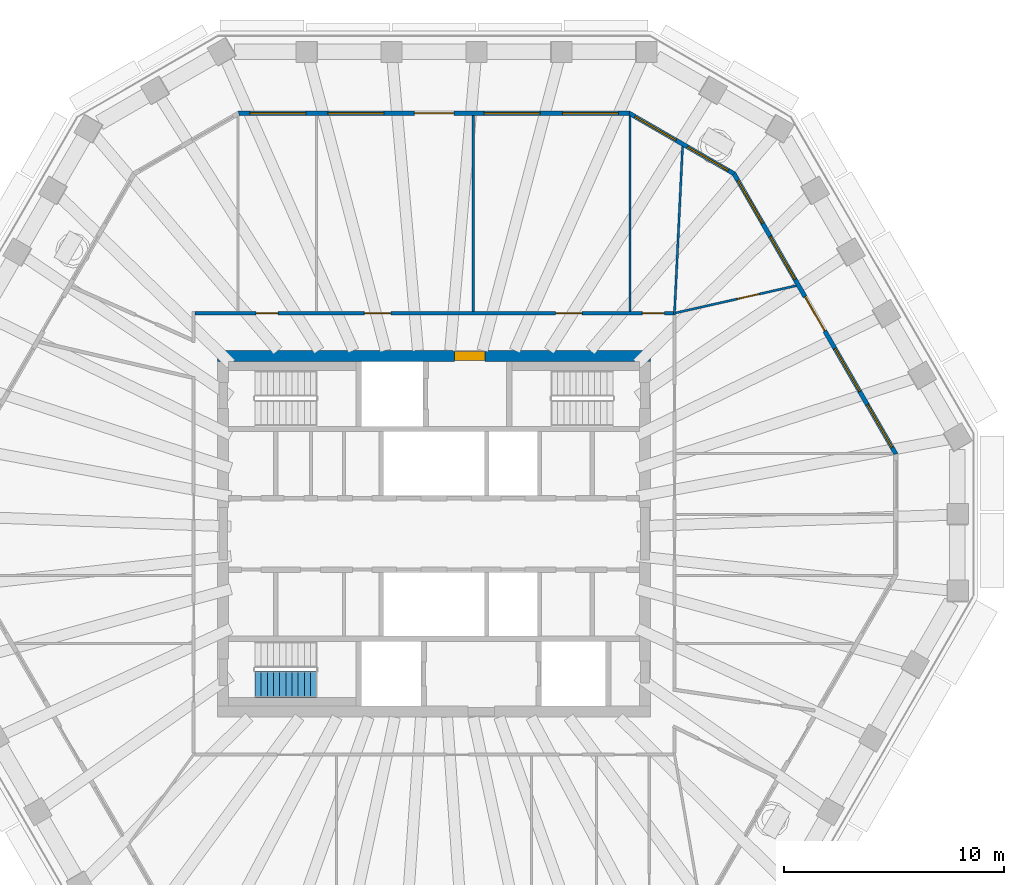
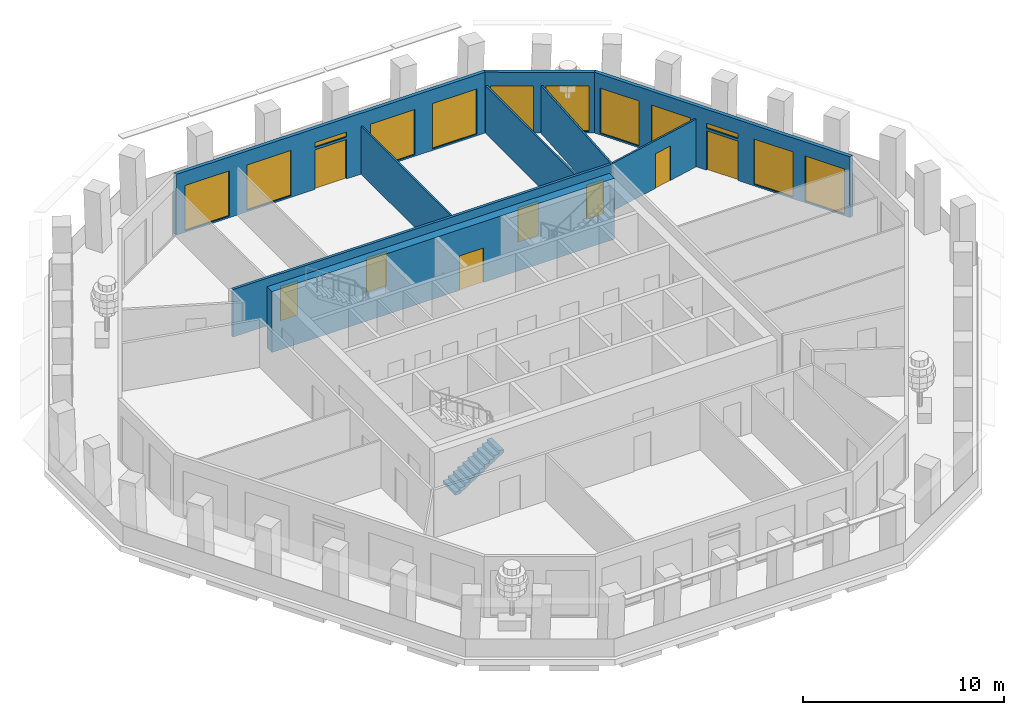
# One storey, part 7 of 12: 12 windows, 9 walls, 8 doors, 1 stair flight, 20 openings, 1 element without a shape of its own.
"""IFC4 building model written with IfcOpenShell, lengths in metres."""

from ifc_helpers import new_model, si_unit, direction, frame, frame_2d, origin, place, context, subcontext, project, spatial, polyline, rectangle, outline, extrude, material, layer, layer_set, type_object, element, fill, aggregate, save


model = new_model("IFC4")

# Units and contexts
model_context = context("Model", 3, precision=1e-05, world=origin(), true_north=direction((0.0, 1.0)))
body_context = subcontext(model_context, "Body", "Model", "MODEL_VIEW")
ifc_project = project(units=[si_unit("LENGTHUNIT", "METRE"), si_unit("AREAUNIT", "SQUARE_METRE"), si_unit("VOLUMEUNIT", "CUBIC_METRE"), si_unit("PLANEANGLEUNIT", "RADIAN"), si_unit("MASSUNIT", "GRAM", prefix="KILO")], contexts=[model_context])

# Site, building, storey
site_placement = place(None, origin())
site = spatial("IfcSite", under=ifc_project, at=site_placement, CompositionType="ELEMENT")
building_placement = place(site_placement, origin())
building = spatial("IfcBuilding", under=site, at=building_placement, Name="Frailejon Research Tower", CompositionType="ELEMENT")
storey_placement = place(building_placement, frame((0.0, 0.0, 291.0)))
storey = spatial("IfcBuildingStorey", under=building, at=storey_placement, Name="L64", CompositionType="ELEMENT", Elevation=291.0)

# Wall, opening, door
ifc_material_1 = material(Name="Concrete C50/60", Category="concrete")
ifc_layer_1 = layer(ifc_material_1, 0.5)
ifc_layer_set_1 = layer_set([ifc_layer_1], Name="Core shear wall 500 C50/60")
wall_type_1 = type_object("IfcWallType", Name="Core shear wall 500 C50/60", PredefinedType="SHEAR", material=ifc_layer_set_1)
wall_1_placement = place(storey_placement, frame((-9.85009765625, 8.10009765625, 0.0), z_axis=(0.0, 0.0, 1.0), x_axis=(1.0, 0.0, 0.0)))
wall_1 = element("IfcWall", 1, at=wall_1_placement, inside=storey, type_object=wall_type_1, Name="Core shear wall", PredefinedType="SHEAR", context=body_context, shape_type="SweptSolid", body=[
    extrude(rectangle(XDim=19.7001953125, YDim=0.5, at=frame_2d((9.85009765625, 0.0))), origin(), (0.0, 0.0, 1.0), 3.699951171875),
])
opening_1_placement = place(wall_1_placement, frame((10.77490234375, 0.0, 0.0)))
opening_1 = element("IfcOpeningElement", 2, at=opening_1_placement, cuts=wall_1, Name="Opening D9", PredefinedType="OPENING", context=body_context, shape_type="SweptSolid", body=[
    extrude(rectangle(XDim=1.39990234375, YDim=2.10009765625, at=frame_2d((0.699951171875, 1.050048828125))), frame((0.0, 0.260009765625, 0.0), z_axis=(0.0, -1.0, 0.0), x_axis=(1.0, 0.0, 0.0)), (0.0, 0.0, 1.0), 0.52001953125),
])
ifc_material_2 = material(Name="Steel", Category="steel")
door_type_1 = type_object("IfcDoorType", Name="Goods lobby door", OperationType="DOUBLE_DOOR_SINGLE_SWING", PredefinedType="DOOR", material=ifc_material_2)
door_1_placement = place(opening_1_placement, origin())
door_1 = element("IfcDoor", 3, at=door_1_placement, inside=storey, type_object=door_type_1, Name="Goods lobby door", OperationType="DOUBLE_DOOR_SINGLE_SWING", OverallHeight=2.10009765625, OverallWidth=1.39990234375, PredefinedType="DOOR", context=body_context, shape_type="SweptSolid", body=[
    extrude(rectangle(XDim=1.39990234375, YDim=2.10009765625, at=frame_2d((0.699951171875, 1.050048828125))), frame((0.0, 0.199951171875, 0.0), z_axis=(0.0, -1.0, 0.0), x_axis=(1.0, 0.0, 0.0)), (0.0, 0.0, 1.0), 0.39990234375),
])
fill(opening_1, door_1)

# Wall, openings, doors
ifc_material_3 = material(Name="Gypsum board and masonry partition", Category="masonry")
ifc_layer_2 = layer(ifc_material_3, 0.14990234375)
ifc_layer_set_2 = layer_set([ifc_layer_2], Name="Corridor wall EI 60, gypsum on steel studs 150")
wall_type_2 = type_object("IfcWallType", Name="Corridor wall EI 60, gypsum on steel studs 150", PredefinedType="PARTITIONING", material=ifc_layer_set_2)
wall_2_placement = place(storey_placement, frame((-10.875, 10.050048828125, 0.0), z_axis=(0.0, 0.0, 1.0), x_axis=(1.0, 0.0, 0.0)))
wall_2 = element("IfcWall", 4, at=wall_2_placement, inside=storey, type_object=wall_type_2, Name="T:IW:L64:005", PredefinedType="PARTITIONING", context=body_context, shape_type="SweptSolid", body=[
    extrude(rectangle(XDim=21.77490234375, YDim=0.14990234375, at=frame_2d((10.887451171875, 0.0))), origin(), (0.0, 0.0, 1.0), 2.89990234375),
])
opening_2_placement = place(wall_2_placement, frame((20.360107421875, 0.0, 0.0)))
opening_2 = element("IfcOpeningElement", 5, at=opening_2_placement, cuts=wall_2, Name="Opening D2228", PredefinedType="OPENING", context=body_context, shape_type="SweptSolid", body=[
    extrude(rectangle(XDim=1.0, YDim=2.10009765625, at=frame_2d((0.5, 1.050048828125))), frame((0.0, 0.0849609375, 0.0), z_axis=(0.0, -1.0, 0.0), x_axis=(1.0, 0.0, 0.0)), (0.0, 0.0, 1.0), 0.169921875),
])
opening_3_placement = place(wall_2_placement, frame((16.41357421875, 0.0, 0.0)))
opening_3 = element("IfcOpeningElement", 6, at=opening_3_placement, cuts=wall_2, Name="Opening D2229", PredefinedType="OPENING", context=body_context, shape_type="SweptSolid", body=[
    extrude(rectangle(XDim=1.199951171875, YDim=2.10009765625, at=frame_2d((0.60009765625, 1.050048828125))), frame((0.0, 0.0849609375, 0.0), z_axis=(0.0, -1.0, 0.0), x_axis=(1.0, 0.0, 0.0)), (0.0, 0.0, 1.0), 0.169921875),
])
opening_4_placement = place(wall_2_placement, frame((7.705078125, 0.0, 0.0)))
opening_4 = element("IfcOpeningElement", 7, at=opening_4_placement, cuts=wall_2, Name="Opening D2230", PredefinedType="OPENING", context=body_context, shape_type="SweptSolid", body=[
    extrude(rectangle(XDim=1.199951171875, YDim=2.10009765625, at=frame_2d((0.60009765625, 1.050048828125))), frame((0.0, 0.0849609375, 0.0), z_axis=(0.0, -1.0, 0.0), x_axis=(1.0, 0.0, 0.0)), (0.0, 0.0, 1.0), 0.169921875),
])
opening_5_placement = place(wall_2_placement, frame((2.7705078125, 0.0, 0.0)))
opening_5 = element("IfcOpeningElement", 8, at=opening_5_placement, cuts=wall_2, Name="Opening D2231", PredefinedType="OPENING", context=body_context, shape_type="SweptSolid", body=[
    extrude(rectangle(XDim=1.0, YDim=2.10009765625, at=frame_2d((0.5, 1.050048828125))), frame((0.0, 0.0849609375, 0.0), z_axis=(0.0, -1.0, 0.0), x_axis=(1.0, 0.0, 0.0)), (0.0, 0.0, 1.0), 0.169921875),
])
ifc_material_4 = material(Name="Timber door leaf", Category="wood")
door_type_2 = type_object("IfcDoorType", Name="Door single leaf, timber, steel frame 1000", OperationType="NOTDEFINED", PredefinedType="DOOR", material=ifc_material_4)
door_2_placement = place(opening_2_placement, origin())
door_2 = element("IfcDoor", 9, at=door_2_placement, inside=storey, type_object=door_type_2, Name="D2228", OperationType="SINGLE_SWING_RIGHT", OverallHeight=2.10009765625, OverallWidth=1.0, PredefinedType="DOOR", context=body_context, shape_type="SweptSolid", body=[
    extrude(rectangle(XDim=1.0, YDim=2.10009765625, at=frame_2d((0.5, 1.050048828125))), frame((0.0, 0.02490234375, 0.0), z_axis=(0.0, -1.0, 0.0), x_axis=(1.0, 0.0, 0.0)), (0.0, 0.0, 1.0), 0.050048828125),
])
fill(opening_2, door_2)
door_3_placement = place(opening_5_placement, origin())
door_3 = element("IfcDoor", 10, at=door_3_placement, inside=storey, type_object=door_type_2, Name="D2231", OperationType="SINGLE_SWING_RIGHT", OverallHeight=2.10009765625, OverallWidth=1.0, PredefinedType="DOOR", context=body_context, shape_type="SweptSolid", body=[
    extrude(rectangle(XDim=1.0, YDim=2.10009765625, at=frame_2d((0.5, 1.050048828125))), frame((0.0, 0.02490234375, 0.0), z_axis=(0.0, -1.0, 0.0), x_axis=(1.0, 0.0, 0.0)), (0.0, 0.0, 1.0), 0.050048828125),
])
fill(opening_5, door_3)
ifc_material_5 = material(Name="Timber door leaf", Category="wood")
door_type_3 = type_object("IfcDoorType", Name="Door single leaf, timber, steel frame 1200", OperationType="NOTDEFINED", PredefinedType="DOOR", material=ifc_material_5)
door_4_placement = place(opening_3_placement, origin())
door_4 = element("IfcDoor", 11, at=door_4_placement, inside=storey, type_object=door_type_3, Name="D2229", OperationType="DOUBLE_DOOR_SINGLE_SWING", OverallHeight=2.10009765625, OverallWidth=1.199951171875, PredefinedType="DOOR", context=body_context, shape_type="SweptSolid", body=[
    extrude(rectangle(XDim=1.199951171875, YDim=2.10009765625, at=frame_2d((0.60009765625, 1.050048828125))), frame((0.0, 0.02490234375, 0.0), z_axis=(0.0, -1.0, 0.0), x_axis=(1.0, 0.0, 0.0)), (0.0, 0.0, 1.0), 0.050048828125),
])
fill(opening_3, door_4)
door_5_placement = place(opening_4_placement, origin())
door_5 = element("IfcDoor", 12, at=door_5_placement, inside=storey, type_object=door_type_3, Name="D2230", OperationType="DOUBLE_DOOR_SINGLE_SWING", OverallHeight=2.10009765625, OverallWidth=1.199951171875, PredefinedType="DOOR", context=body_context, shape_type="SweptSolid", body=[
    extrude(rectangle(XDim=1.199951171875, YDim=2.10009765625, at=frame_2d((0.60009765625, 1.050048828125))), frame((0.0, 0.02490234375, 0.0), z_axis=(0.0, -1.0, 0.0), x_axis=(1.0, 0.0, 0.0)), (0.0, 0.0, 1.0), 0.050048828125),
])
fill(opening_4, door_5)

# Wall, opening, door
ifc_material_6 = material(Name="Gypsum board and masonry partition", Category="masonry")
ifc_layer_3 = layer(ifc_material_6, 0.10009765625)
ifc_layer_set_3 = layer_set([ifc_layer_3], Name="Partition, gypsum on steel studs 100")
wall_type_3 = type_object("IfcWallType", Name="Partition, gypsum on steel studs 100", PredefinedType="PARTITIONING", material=ifc_layer_set_3)
wall_3_placement = place(storey_placement, frame((10.998779296875, 10.06103515625, 0.0), z_axis=(0.0, 0.0, 1.0), x_axis=(0.975459036703, 0.220180988541, 0.0)))
wall_3 = element("IfcWall", 13, at=wall_3_placement, inside=storey, type_object=wall_type_3, Name="T:IW:L64:013", PredefinedType="PARTITIONING", context=body_context, shape_type="SweptSolid", body=[
    extrude(rectangle(XDim=5.62841796875, YDim=0.10009765625, at=frame_2d((2.814208984375, 0.0))), origin(), (0.0, 0.0, 1.0), 2.89990234375),
])
opening_6_placement = place(wall_3_placement, frame((2.885986328125, 0.0, 0.0)))
opening_6 = element("IfcOpeningElement", 14, at=opening_6_placement, cuts=wall_3, Name="Opening D2227", PredefinedType="OPENING", context=body_context, shape_type="SweptSolid", body=[
    extrude(rectangle(XDim=1.0, YDim=2.10009765625, at=frame_2d((0.5, 1.050048828125))), frame((0.0, 0.06005859375, 0.0), z_axis=(0.0, -1.0, 0.0), x_axis=(1.0, 0.0, 0.0)), (0.0, 0.0, 1.0), 0.1201171875),
])
door_6_placement = place(opening_6_placement, origin())
door_6 = element("IfcDoor", 15, at=door_6_placement, inside=storey, type_object=door_type_2, Name="D2227", OperationType="SINGLE_SWING_LEFT", OverallHeight=2.10009765625, OverallWidth=1.0, PredefinedType="DOOR", context=body_context, shape_type="SweptSolid", body=[
    extrude(rectangle(XDim=1.0, YDim=2.10009765625, at=frame_2d((0.5, 1.050048828125))), frame((0.0, 0.02490234375, 0.0), z_axis=(0.0, -1.0, 0.0), x_axis=(1.0, 0.0, 0.0)), (0.0, 0.0, 1.0), 0.050048828125),
])
fill(opening_6, door_6)

# Walls
wall_4_placement = place(storey_placement, frame((10.9462890625, 9.97509765625, 0.0), z_axis=(0.0, 0.0, 1.0), x_axis=(0.048351551891, 0.998830379709, 0.0)))
element("IfcWall", 16, at=wall_4_placement, inside=storey, type_object=wall_type_3, Name="T:IW:L64:014", PredefinedType="PARTITIONING", context=body_context, shape_type="SweptSolid", body=[
    extrude(rectangle(XDim=7.669921875, YDim=0.10009765625, at=frame_2d((3.8349609375, 0.0))), origin(), (0.0, 0.0, 1.0), 2.89990234375),
])
wall_5_placement = place(storey_placement, frame((8.921630859375, 10.125, 0.0), z_axis=(0.0, 0.0, 1.0), x_axis=(0.0, 1.0, 0.0)))
element("IfcWall", 17, at=wall_5_placement, inside=storey, type_object=wall_type_3, Name="T:IW:L64:015", PredefinedType="PARTITIONING", context=body_context, shape_type="SweptSolid", body=[
    extrude(rectangle(XDim=8.89404296875, YDim=0.10009765625, at=frame_2d((4.447021484375, 0.0))), origin(), (0.0, 0.0, 1.0), 2.89990234375),
])
wall_6_placement = place(storey_placement, frame((1.7841796875, 10.125, 0.0), z_axis=(0.0, 0.0, 1.0), x_axis=(0.0, 1.0, 0.0)))
element("IfcWall", 18, at=wall_6_placement, inside=storey, type_object=wall_type_3, Name="T:IW:L64:016", PredefinedType="PARTITIONING", context=body_context, shape_type="SweptSolid", body=[
    extrude(rectangle(XDim=8.925048828125, YDim=0.10009765625, at=frame_2d((4.46240234375, 0.0))), origin(), (0.0, 0.0, 1.0), 2.89990234375),
])

# Wall, openings, door, windows
ifc_material_7 = material(Name="Concrete C40/50 precast window wall panel", Category="concrete")
ifc_layer_4 = layer(ifc_material_7, 0.199951171875)
ifc_layer_set_4 = layer_set([ifc_layer_4], Name="Window wall 200")
wall_type_4 = type_object("IfcWallType", Name="Window wall 200", PredefinedType="SOLIDWALL", material=ifc_layer_set_4)
wall_7_placement = place(storey_placement, frame((21.03173828125, 3.631591796875, 0.0), z_axis=(0.0, 0.0, 1.0), x_axis=(-0.50000248076, 0.866023971512, 0.0)))
wall_7 = element("IfcWall", 19, at=wall_7_placement, inside=storey, type_object=wall_type_4, Name="Exterior wall L64", PredefinedType="SOLIDWALL", context=body_context, shape_type="SweptSolid", body=[
    extrude(outline(polyline([(-0.02685546875, -0.10009765625), (1.030029296875, -0.10009765625), (2.086669921875, -0.10009765625), (3.1435546875, -0.10009765625), (4.200439453125, -0.10009765625), (5.25732421875, -0.10009765625), (6.31396484375, -0.10009765625), (7.370849609375, -0.10009765625), (8.427734375, -0.10009765625), (9.484375, -0.10009765625), (10.541259765625, -0.10009765625), (11.59814453125, -0.10009765625), (12.655029296875, -0.10009765625), (13.711669921875, -0.10009765625), (14.7685546875, -0.10009765625), (14.71484375, 0.10009765625), (13.665771484375, 0.10009765625), (12.616455078125, 0.10009765625), (11.5673828125, 0.10009765625), (10.518310546875, 0.10009765625), (9.46923828125, 0.10009765625), (8.419921875, 0.10009765625), (7.370849609375, 0.10009765625), (6.32177734375, 0.10009765625), (5.2724609375, 0.10009765625), (4.223388671875, 0.10009765625), (3.17431640625, 0.10009765625), (2.125244140625, 0.10009765625), (1.075927734375, 0.10009765625), (0.02685546875, 0.10009765625), (-0.02685546875, -0.10009765625)])), origin(), (0.0, 0.0, 1.0), 3.699951171875),
])
opening_7_placement = place(wall_7_placement, frame((0.34912109375, 0.0, 0.10009765625)))
opening_7 = element("IfcOpeningElement", 20, at=opening_7_placement, cuts=wall_7, Name="Opening W23", PredefinedType="OPENING", context=body_context, shape_type="SweptSolid", body=[
    extrude(rectangle(XDim=2.25, YDim=2.75, at=frame_2d((1.125, 1.375))), frame((0.0, 0.10986328125, 0.0), z_axis=(0.0, -1.0, 0.0), x_axis=(1.0, 0.0, 0.0)), (0.0, 0.0, 1.0), 0.219970703125),
])
opening_8_placement = place(wall_7_placement, frame((3.297607421875, 0.0, 0.10009765625)))
opening_8 = element("IfcOpeningElement", 21, at=opening_8_placement, cuts=wall_7, Name="Opening W23", PredefinedType="OPENING", context=body_context, shape_type="SweptSolid", body=[
    extrude(rectangle(XDim=2.25, YDim=2.75, at=frame_2d((1.125, 1.375))), frame((0.0, 0.10986328125, 0.0), z_axis=(0.0, -1.0, 0.0), x_axis=(1.0, 0.0, 0.0)), (0.0, 0.0, 1.0), 0.219970703125),
])
opening_9_placement = place(wall_7_placement, frame((6.470703125, 0.0, 0.0)))
opening_9 = element("IfcOpeningElement", 22, at=opening_9_placement, cuts=wall_7, Name="Opening LG64-1", PredefinedType="OPENING", context=body_context, shape_type="SweptSolid", body=[
    extrude(rectangle(XDim=1.800048828125, YDim=2.39990234375, at=frame_2d((0.89990234375, 1.199951171875))), frame((0.0, 0.10986328125, 0.0), z_axis=(0.0, -1.0, 0.0), x_axis=(1.0, 0.0, 0.0)), (0.0, 0.0, 1.0), 0.219970703125),
])
opening_10_placement = place(wall_7_placement, frame((6.470703125, 0.0, 2.550048828125)))
opening_10 = element("IfcOpeningElement", 23, at=opening_10_placement, cuts=wall_7, Name="Opening W24", PredefinedType="OPENING", context=body_context, shape_type="SweptSolid", body=[
    extrude(rectangle(XDim=1.800048828125, YDim=0.300048828125, at=frame_2d((0.89990234375, 0.14990234375))), frame((0.0, 0.10986328125, 0.0), z_axis=(0.0, -1.0, 0.0), x_axis=(1.0, 0.0, 0.0)), (0.0, 0.0, 1.0), 0.219970703125),
])
opening_11_placement = place(wall_7_placement, frame((9.194091796875, 0.0, 0.10009765625)))
opening_11 = element("IfcOpeningElement", 24, at=opening_11_placement, cuts=wall_7, Name="Opening W23", PredefinedType="OPENING", context=body_context, shape_type="SweptSolid", body=[
    extrude(rectangle(XDim=2.25, YDim=2.75, at=frame_2d((1.125, 1.375))), frame((0.0, 0.10986328125, 0.0), z_axis=(0.0, -1.0, 0.0), x_axis=(1.0, 0.0, 0.0)), (0.0, 0.0, 1.0), 0.219970703125),
])
opening_12_placement = place(wall_7_placement, frame((12.142578125, 0.0, 0.10009765625)))
opening_12 = element("IfcOpeningElement", 25, at=opening_12_placement, cuts=wall_7, Name="Opening W23", PredefinedType="OPENING", context=body_context, shape_type="SweptSolid", body=[
    extrude(rectangle(XDim=2.25, YDim=2.75, at=frame_2d((1.125, 1.375))), frame((0.0, 0.10986328125, 0.0), z_axis=(0.0, -1.0, 0.0), x_axis=(1.0, 0.0, 0.0)), (0.0, 0.0, 1.0), 0.219970703125),
])
ifc_material_8 = material(Name="Aluminium framed glazed door leaf", Category="aluminium")
door_type_4 = type_object("IfcDoorType", Name="Loggia door 1800x2400", OperationType="DOUBLE_DOOR_SINGLE_SWING", PredefinedType="DOOR", material=ifc_material_8)
door_7_placement = place(opening_9_placement, origin())
door_7 = element("IfcDoor", 26, at=door_7_placement, inside=storey, type_object=door_type_4, Name="Door LG64-1", OperationType="DOUBLE_DOOR_SINGLE_SWING", OverallHeight=2.39990234375, OverallWidth=1.800048828125, PredefinedType="DOOR", context=body_context, shape_type="SweptSolid", body=[
    extrude(rectangle(XDim=1.800048828125, YDim=2.39990234375, at=frame_2d((0.89990234375, 1.199951171875))), frame((0.0, 0.02490234375, 0.0), z_axis=(0.0, -1.0, 0.0), x_axis=(1.0, 0.0, 0.0)), (0.0, 0.0, 1.0), 0.050048828125),
])
fill(opening_9, door_7)
ifc_material_9 = material(Name="Aluminium framed double glazing", Category="aluminium")
window_type_1 = type_object("IfcWindowType", Name="Window 1800x300", PartitioningType="SINGLE_PANEL", PredefinedType="WINDOW", material=ifc_material_9)
window_1_placement = place(opening_10_placement, origin())
window_1 = element("IfcWindow", 27, at=window_1_placement, inside=storey, type_object=window_type_1, Name="Window L64", OverallHeight=0.300048828125, OverallWidth=1.800048828125, PartitioningType="SINGLE_PANEL", PredefinedType="WINDOW", context=body_context, shape_type="SweptSolid", body=[
    extrude(rectangle(XDim=1.800048828125, YDim=0.300048828125, at=frame_2d((0.89990234375, 0.14990234375))), frame((0.0, 0.030029296875, 0.0), z_axis=(0.0, -1.0, 0.0), x_axis=(1.0, 0.0, 0.0)), (0.0, 0.0, 1.0), 0.06005859375),
])
fill(opening_10, window_1)
ifc_material_10 = material(Name="Aluminium framed double glazing", Category="aluminium")
window_type_2 = type_object("IfcWindowType", Name="Window 2250x2750", PartitioningType="SINGLE_PANEL", PredefinedType="WINDOW", material=ifc_material_10)
window_2_placement = place(opening_7_placement, origin())
window_2 = element("IfcWindow", 28, at=window_2_placement, inside=storey, type_object=window_type_2, Name="Window L64", OverallHeight=2.75, OverallWidth=2.25, PartitioningType="SINGLE_PANEL", PredefinedType="WINDOW", context=body_context, shape_type="SweptSolid", body=[
    extrude(rectangle(XDim=2.25, YDim=2.75, at=frame_2d((1.125, 1.375))), frame((0.0, 0.030029296875, 0.0), z_axis=(0.0, -1.0, 0.0), x_axis=(1.0, 0.0, 0.0)), (0.0, 0.0, 1.0), 0.06005859375),
])
fill(opening_7, window_2)
window_3_placement = place(opening_8_placement, origin())
window_3 = element("IfcWindow", 29, at=window_3_placement, inside=storey, type_object=window_type_2, Name="Window L64", OverallHeight=2.75, OverallWidth=2.25, PartitioningType="SINGLE_PANEL", PredefinedType="WINDOW", context=body_context, shape_type="SweptSolid", body=[
    extrude(rectangle(XDim=2.25, YDim=2.75, at=frame_2d((1.125, 1.375))), frame((0.0, 0.030029296875, 0.0), z_axis=(0.0, -1.0, 0.0), x_axis=(1.0, 0.0, 0.0)), (0.0, 0.0, 1.0), 0.06005859375),
])
fill(opening_8, window_3)
window_4_placement = place(opening_11_placement, origin())
window_4 = element("IfcWindow", 30, at=window_4_placement, inside=storey, type_object=window_type_2, Name="Window L64", OverallHeight=2.75, OverallWidth=2.25, PartitioningType="SINGLE_PANEL", PredefinedType="WINDOW", context=body_context, shape_type="SweptSolid", body=[
    extrude(rectangle(XDim=2.25, YDim=2.75, at=frame_2d((1.125, 1.375))), frame((0.0, 0.030029296875, 0.0), z_axis=(0.0, -1.0, 0.0), x_axis=(1.0, 0.0, 0.0)), (0.0, 0.0, 1.0), 0.06005859375),
])
fill(opening_11, window_4)
window_5_placement = place(opening_12_placement, origin())
window_5 = element("IfcWindow", 31, at=window_5_placement, inside=storey, type_object=window_type_2, Name="Window L64", OverallHeight=2.75, OverallWidth=2.25, PartitioningType="SINGLE_PANEL", PredefinedType="WINDOW", context=body_context, shape_type="SweptSolid", body=[
    extrude(rectangle(XDim=2.25, YDim=2.75, at=frame_2d((1.125, 1.375))), frame((0.0, 0.030029296875, 0.0), z_axis=(0.0, -1.0, 0.0), x_axis=(1.0, 0.0, 0.0)), (0.0, 0.0, 1.0), 0.06005859375),
])
fill(opening_12, window_5)

# Wall, openings, windows
wall_8_placement = place(storey_placement, frame((13.660888671875, 16.398193359375, 0.0), z_axis=(0.0, 0.0, 1.0), x_axis=(-0.866014926636, 0.500018146515, 0.0)))
wall_8 = element("IfcWall", 32, at=wall_8_placement, inside=storey, type_object=wall_type_4, Name="Exterior wall L64", PredefinedType="SOLIDWALL", context=body_context, shape_type="SweptSolid", body=[
    extrude(outline(polyline([(-0.02685546875, -0.10009765625), (1.08447265625, -0.10009765625), (2.19580078125, -0.10009765625), (3.307373046875, -0.10009765625), (4.418701171875, -0.10009765625), (5.530029296875, -0.10009765625), (5.476318359375, 0.10009765625), (4.386474609375, 0.10009765625), (3.296630859375, 0.10009765625), (2.20654296875, 0.10009765625), (1.11669921875, 0.10009765625), (0.02685546875, 0.10009765625), (-0.02685546875, -0.10009765625)])), origin(), (0.0, 0.0, 1.0), 3.699951171875),
])
opening_13_placement = place(wall_8_placement, frame((0.30078125, 0.0, 0.10009765625)))
opening_13 = element("IfcOpeningElement", 33, at=opening_13_placement, cuts=wall_8, Name="Opening W22", PredefinedType="OPENING", context=body_context, shape_type="SweptSolid", body=[
    extrude(rectangle(XDim=2.14990234375, YDim=2.75, at=frame_2d((1.074951171875, 1.375))), frame((0.0, 0.10986328125, 0.0), z_axis=(0.0, -1.0, 0.0), x_axis=(1.0, 0.0, 0.0)), (0.0, 0.0, 1.0), 0.219970703125),
])
opening_14_placement = place(wall_8_placement, frame((3.052490234375, 0.0, 0.10009765625)))
opening_14 = element("IfcOpeningElement", 34, at=opening_14_placement, cuts=wall_8, Name="Opening W22", PredefinedType="OPENING", context=body_context, shape_type="SweptSolid", body=[
    extrude(rectangle(XDim=2.14990234375, YDim=2.75, at=frame_2d((1.074951171875, 1.375))), frame((0.0, 0.10986328125, 0.0), z_axis=(0.0, -1.0, 0.0), x_axis=(1.0, 0.0, 0.0)), (0.0, 0.0, 1.0), 0.219970703125),
])
ifc_material_11 = material(Name="Aluminium framed double glazing", Category="aluminium")
window_type_3 = type_object("IfcWindowType", Name="Window 2150x2750", PartitioningType="SINGLE_PANEL", PredefinedType="WINDOW", material=ifc_material_11)
window_6_placement = place(opening_13_placement, origin())
window_6 = element("IfcWindow", 35, at=window_6_placement, inside=storey, type_object=window_type_3, Name="Window L64", OverallHeight=2.75, OverallWidth=2.14990234375, PartitioningType="SINGLE_PANEL", PredefinedType="WINDOW", context=body_context, shape_type="SweptSolid", body=[
    extrude(rectangle(XDim=2.14990234375, YDim=2.75, at=frame_2d((1.074951171875, 1.375))), frame((0.0, 0.030029296875, 0.0), z_axis=(0.0, -1.0, 0.0), x_axis=(1.0, 0.0, 0.0)), (0.0, 0.0, 1.0), 0.06005859375),
])
fill(opening_13, window_6)
window_7_placement = place(opening_14_placement, origin())
window_7 = element("IfcWindow", 36, at=window_7_placement, inside=storey, type_object=window_type_3, Name="Window L64", OverallHeight=2.75, OverallWidth=2.14990234375, PartitioningType="SINGLE_PANEL", PredefinedType="WINDOW", context=body_context, shape_type="SweptSolid", body=[
    extrude(rectangle(XDim=2.14990234375, YDim=2.75, at=frame_2d((1.074951171875, 1.375))), frame((0.0, 0.030029296875, 0.0), z_axis=(0.0, -1.0, 0.0), x_axis=(1.0, 0.0, 0.0)), (0.0, 0.0, 1.0), 0.06005859375),
])
fill(opening_14, window_7)

# Wall, openings, door, windows
wall_9_placement = place(storey_placement, frame((8.89501953125, 19.14990234375, 0.0), z_axis=(0.0, 0.0, 1.0), x_axis=(-1.0, 0.0, 0.0)))
wall_9 = element("IfcWall", 37, at=wall_9_placement, inside=storey, type_object=wall_type_4, Name="Exterior wall L64", PredefinedType="SOLIDWALL", context=body_context, shape_type="SweptSolid", body=[
    extrude(outline(polyline([(-0.02685546875, -0.10009765625), (1.022705078125, -0.10009765625), (2.072509765625, -0.10009765625), (3.1220703125, -0.10009765625), (4.171630859375, -0.10009765625), (5.22119140625, -0.10009765625), (6.27099609375, -0.10009765625), (7.320556640625, -0.10009765625), (8.3701171875, -0.10009765625), (9.419921875, -0.10009765625), (10.469482421875, -0.10009765625), (11.51904296875, -0.10009765625), (12.56884765625, -0.10009765625), (13.618408203125, -0.10009765625), (14.66796875, -0.10009765625), (15.717529296875, -0.10009765625), (16.767333984375, -0.10009765625), (17.81689453125, -0.10009765625), (17.76318359375, 0.10009765625), (16.719970703125, 0.10009765625), (15.676513671875, 0.10009765625), (14.63330078125, 0.10009765625), (13.58984375, 0.10009765625), (12.546630859375, 0.10009765625), (11.50341796875, 0.10009765625), (10.4599609375, 0.10009765625), (9.416748046875, 0.10009765625), (8.373291015625, 0.10009765625), (7.330078125, 0.10009765625), (6.28662109375, 0.10009765625), (5.243408203125, 0.10009765625), (4.2001953125, 0.10009765625), (3.15673828125, 0.10009765625), (2.113525390625, 0.10009765625), (1.070068359375, 0.10009765625), (0.02685546875, 0.10009765625), (-0.02685546875, -0.10009765625)])), origin(), (0.0, 0.0, 1.0), 3.699951171875),
])
opening_15_placement = place(wall_9_placement, frame((0.50390625, 0.0, 0.10009765625)))
opening_15 = element("IfcOpeningElement", 38, at=opening_15_placement, cuts=wall_9, Name="Opening W25", PredefinedType="OPENING", context=body_context, shape_type="SweptSolid", body=[
    extrude(rectangle(XDim=2.550048828125, YDim=2.75, at=frame_2d((1.27490234375, 1.375))), frame((0.0, 0.10986328125, 0.0), z_axis=(0.0, -1.0, 0.0), x_axis=(1.0, 0.0, 0.0)), (0.0, 0.0, 1.0), 0.219970703125),
])
opening_16_placement = place(wall_9_placement, frame((4.06201171875, 0.0, 0.10009765625)))
opening_16 = element("IfcOpeningElement", 39, at=opening_16_placement, cuts=wall_9, Name="Opening W25", PredefinedType="OPENING", context=body_context, shape_type="SweptSolid", body=[
    extrude(rectangle(XDim=2.550048828125, YDim=2.75, at=frame_2d((1.27490234375, 1.375))), frame((0.0, 0.10986328125, 0.0), z_axis=(0.0, -1.0, 0.0), x_axis=(1.0, 0.0, 0.0)), (0.0, 0.0, 1.0), 0.219970703125),
])
opening_17_placement = place(wall_9_placement, frame((7.994873046875, 0.0, 0.0)))
opening_17 = element("IfcOpeningElement", 40, at=opening_17_placement, cuts=wall_9, Name="Opening LG64-2", PredefinedType="OPENING", context=body_context, shape_type="SweptSolid", body=[
    extrude(rectangle(XDim=1.800048828125, YDim=2.39990234375, at=frame_2d((0.89990234375, 1.199951171875))), frame((0.0, 0.10986328125, 0.0), z_axis=(0.0, -1.0, 0.0), x_axis=(1.0, 0.0, 0.0)), (0.0, 0.0, 1.0), 0.219970703125),
])
opening_18_placement = place(wall_9_placement, frame((7.994873046875, 0.0, 2.550048828125)))
opening_18 = element("IfcOpeningElement", 41, at=opening_18_placement, cuts=wall_9, Name="Opening W24", PredefinedType="OPENING", context=body_context, shape_type="SweptSolid", body=[
    extrude(rectangle(XDim=1.800048828125, YDim=0.300048828125, at=frame_2d((0.89990234375, 0.14990234375))), frame((0.0, 0.10986328125, 0.0), z_axis=(0.0, -1.0, 0.0), x_axis=(1.0, 0.0, 0.0)), (0.0, 0.0, 1.0), 0.219970703125),
])
opening_19_placement = place(wall_9_placement, frame((11.177978515625, 0.0, 0.10009765625)))
opening_19 = element("IfcOpeningElement", 42, at=opening_19_placement, cuts=wall_9, Name="Opening W25", PredefinedType="OPENING", context=body_context, shape_type="SweptSolid", body=[
    extrude(rectangle(XDim=2.550048828125, YDim=2.75, at=frame_2d((1.27490234375, 1.375))), frame((0.0, 0.10986328125, 0.0), z_axis=(0.0, -1.0, 0.0), x_axis=(1.0, 0.0, 0.0)), (0.0, 0.0, 1.0), 0.219970703125),
])
opening_20_placement = place(wall_9_placement, frame((14.73583984375, 0.0, 0.10009765625)))
opening_20 = element("IfcOpeningElement", 43, at=opening_20_placement, cuts=wall_9, Name="Opening W25", PredefinedType="OPENING", context=body_context, shape_type="SweptSolid", body=[
    extrude(rectangle(XDim=2.550048828125, YDim=2.75, at=frame_2d((1.27490234375, 1.375))), frame((0.0, 0.10986328125, 0.0), z_axis=(0.0, -1.0, 0.0), x_axis=(1.0, 0.0, 0.0)), (0.0, 0.0, 1.0), 0.219970703125),
])
door_8_placement = place(opening_17_placement, origin())
door_8 = element("IfcDoor", 44, at=door_8_placement, inside=storey, type_object=door_type_4, Name="Door LG64-2", OperationType="DOUBLE_DOOR_SINGLE_SWING", OverallHeight=2.39990234375, OverallWidth=1.800048828125, PredefinedType="DOOR", context=body_context, shape_type="SweptSolid", body=[
    extrude(rectangle(XDim=1.800048828125, YDim=2.39990234375, at=frame_2d((0.89990234375, 1.199951171875))), frame((0.0, 0.02490234375, 0.0), z_axis=(0.0, -1.0, 0.0), x_axis=(1.0, 0.0, 0.0)), (0.0, 0.0, 1.0), 0.050048828125),
])
fill(opening_17, door_8)
window_8_placement = place(opening_18_placement, origin())
window_8 = element("IfcWindow", 45, at=window_8_placement, inside=storey, type_object=window_type_1, Name="Window L64", OverallHeight=0.300048828125, OverallWidth=1.800048828125, PartitioningType="SINGLE_PANEL", PredefinedType="WINDOW", context=body_context, shape_type="SweptSolid", body=[
    extrude(rectangle(XDim=1.800048828125, YDim=0.300048828125, at=frame_2d((0.89990234375, 0.14990234375))), frame((0.0, 0.030029296875, 0.0), z_axis=(0.0, -1.0, 0.0), x_axis=(1.0, 0.0, 0.0)), (0.0, 0.0, 1.0), 0.06005859375),
])
fill(opening_18, window_8)
ifc_material_12 = material(Name="Aluminium framed double glazing", Category="aluminium")
window_type_4 = type_object("IfcWindowType", Name="Window 2550x2750", PartitioningType="SINGLE_PANEL", PredefinedType="WINDOW", material=ifc_material_12)
window_9_placement = place(opening_15_placement, origin())
window_9 = element("IfcWindow", 46, at=window_9_placement, inside=storey, type_object=window_type_4, Name="Window L64", OverallHeight=2.75, OverallWidth=2.550048828125, PartitioningType="SINGLE_PANEL", PredefinedType="WINDOW", context=body_context, shape_type="SweptSolid", body=[
    extrude(rectangle(XDim=2.550048828125, YDim=2.75, at=frame_2d((1.27490234375, 1.375))), frame((0.0, 0.030029296875, 0.0), z_axis=(0.0, -1.0, 0.0), x_axis=(1.0, 0.0, 0.0)), (0.0, 0.0, 1.0), 0.06005859375),
])
fill(opening_15, window_9)
window_10_placement = place(opening_16_placement, origin())
window_10 = element("IfcWindow", 47, at=window_10_placement, inside=storey, type_object=window_type_4, Name="Window L64", OverallHeight=2.75, OverallWidth=2.550048828125, PartitioningType="SINGLE_PANEL", PredefinedType="WINDOW", context=body_context, shape_type="SweptSolid", body=[
    extrude(rectangle(XDim=2.550048828125, YDim=2.75, at=frame_2d((1.27490234375, 1.375))), frame((0.0, 0.030029296875, 0.0), z_axis=(0.0, -1.0, 0.0), x_axis=(1.0, 0.0, 0.0)), (0.0, 0.0, 1.0), 0.06005859375),
])
fill(opening_16, window_10)
window_11_placement = place(opening_19_placement, origin())
window_11 = element("IfcWindow", 48, at=window_11_placement, inside=storey, type_object=window_type_4, Name="Window L64", OverallHeight=2.75, OverallWidth=2.550048828125, PartitioningType="SINGLE_PANEL", PredefinedType="WINDOW", context=body_context, shape_type="SweptSolid", body=[
    extrude(rectangle(XDim=2.550048828125, YDim=2.75, at=frame_2d((1.27490234375, 1.375))), frame((0.0, 0.030029296875, 0.0), z_axis=(0.0, -1.0, 0.0), x_axis=(1.0, 0.0, 0.0)), (0.0, 0.0, 1.0), 0.06005859375),
])
fill(opening_19, window_11)
window_12_placement = place(opening_20_placement, origin())
window_12 = element("IfcWindow", 49, at=window_12_placement, inside=storey, type_object=window_type_4, Name="Window L64", OverallHeight=2.75, OverallWidth=2.550048828125, PartitioningType="SINGLE_PANEL", PredefinedType="WINDOW", context=body_context, shape_type="SweptSolid", body=[
    extrude(rectangle(XDim=2.550048828125, YDim=2.75, at=frame_2d((1.27490234375, 1.375))), frame((0.0, 0.030029296875, 0.0), z_axis=(0.0, -1.0, 0.0), x_axis=(1.0, 0.0, 0.0)), (0.0, 0.0, 1.0), 0.06005859375),
])
fill(opening_20, window_12)

# Stair, stair flight
ifc_material_13 = material(Name="Concrete C50/60", Category="concrete")
stair_type = type_object("IfcStairType", Name="Exit stair 22 risers", PredefinedType="HALF_TURN_STAIR", material=ifc_material_13)
stair_placement = place(storey_placement, origin())
stair = element("IfcStair", 50, at=stair_placement, inside=storey, type_object=stair_type, Name="L64 Exit stair ST2", PredefinedType="HALF_TURN_STAIR")
ifc_material_14 = material(Name="Concrete C50/60", Category="concrete")
ifc_layer_5 = layer(ifc_material_14, 0.14990234375)
ifc_layer_set_5 = layer_set([ifc_layer_5], Name="Stair flight 11 risers")
stair_flight_type = type_object("IfcStairFlightType", Name="Stair flight 11 risers", PredefinedType="STRAIGHT", material=ifc_layer_set_5)
stair_flight_placement = place(storey_placement, frame((-8.14990234375, -6.85009765625, 0.0), z_axis=(0.0, 0.0, 1.0), x_axis=(1.0, 0.0, 0.0)))
stair_flight = element("IfcStairFlight", 51, at=stair_flight_placement, type_object=stair_flight_type, Name="ST2 flight 1", NumberOfRisers=11, NumberOfTreads=10, PredefinedType="STRAIGHT", RiserHeight=0.181818182, TreadLength=0.28, context=body_context, shape_type="SweptSolid", body=[
    extrude(outline(polyline([(0.0, 0.0), (0.0, 0.181884765625), (0.280029296875, 0.181884765625), (0.280029296875, 0.363525390625), (0.56005859375, 0.363525390625), (0.56005859375, 0.54541015625), (0.840087890625, 0.54541015625), (0.840087890625, 0.727294921875), (1.1201171875, 0.727294921875), (1.1201171875, 0.9091796875), (1.39990234375, 0.9091796875), (1.39990234375, 1.0908203125), (1.679931640625, 1.0908203125), (1.679931640625, 1.272705078125), (1.9599609375, 1.272705078125), (1.9599609375, 1.45458984375), (2.239990234375, 1.45458984375), (2.239990234375, 1.636474609375), (2.52001953125, 1.636474609375), (2.52001953125, 1.818115234375), (2.800048828125, 1.818115234375), (2.800048828125, 2.0), (2.800048828125, 1.639404296875), (0.275146484375, 0.0), (0.0, 0.0)])), frame((0.0, 0.60009765625, 0.0), z_axis=(0.0, -1.0, 0.0), x_axis=(1.0, 0.0, 0.0)), (0.0, 0.0, 1.0), 1.199951171875),
])
aggregate(stair, [stair_flight])

save(model, "model.ifc")
